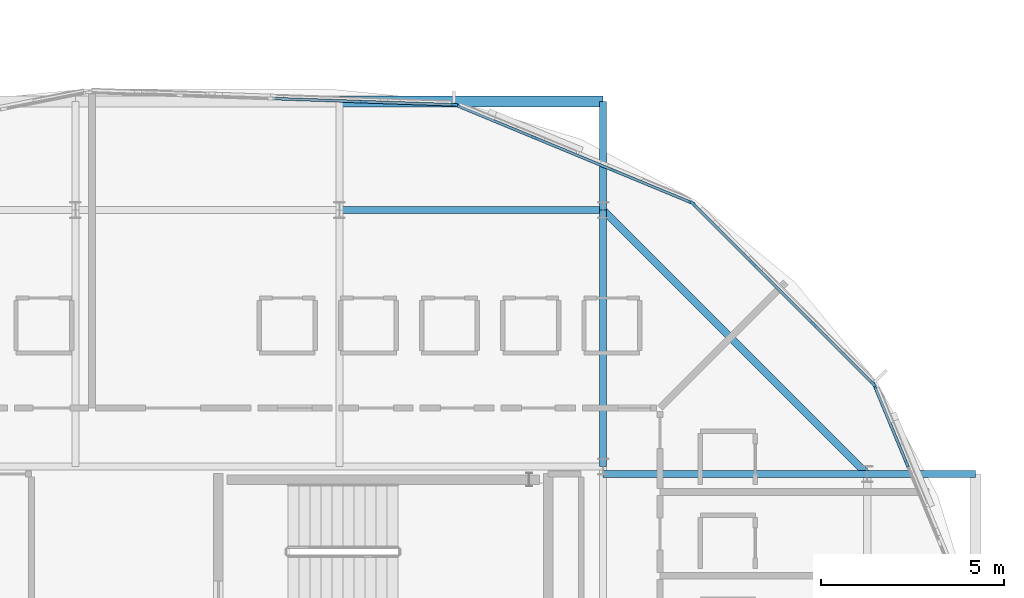
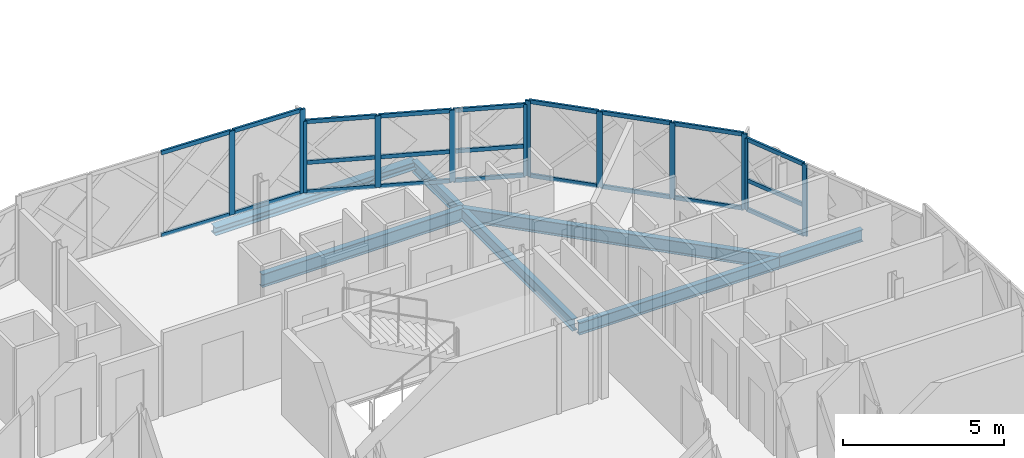
# One storey, part 11 of 25: 34 members, 7 beams, 4 elements without a shape of their own.
"""IFC4 building model written with IfcOpenShell, lengths in metres."""

from ifc_helpers import new_model, si_unit, direction, frame, origin, origin_2d, place, context, subcontext, project, spatial, rectangle, i_section, extrude, material, layer, layer_set, material_profile, profile_set, type_object, element, aggregate, save


model = new_model("IFC4")

# Units and contexts
model_context = context("Model", 3, precision=1e-05, world=origin(), true_north=direction((0.0, 1.0)))
body_context = subcontext(model_context, "Body", "Model", "MODEL_VIEW")
ifc_project = project(units=[si_unit("LENGTHUNIT", "METRE"), si_unit("AREAUNIT", "SQUARE_METRE"), si_unit("VOLUMEUNIT", "CUBIC_METRE"), si_unit("PLANEANGLEUNIT", "RADIAN"), si_unit("MASSUNIT", "GRAM", prefix="KILO")], contexts=[model_context])

# Site, building, storey
site_placement = place(None, origin())
site = spatial("IfcSite", under=ifc_project, at=site_placement, CompositionType="ELEMENT")
building_placement = place(site_placement, origin())
building = spatial("IfcBuilding", under=site, at=building_placement, Name="Zevrakil Square Congress Hotel", CompositionType="ELEMENT")
storey_placement = place(building_placement, frame((0.0, 0.0, 28.300048828125)))
storey = spatial("IfcBuildingStorey", under=building, at=storey_placement, Name="L08", CompositionType="ELEMENT", Elevation=28.300048828125)

# Beams
ifc_material_1 = material(Name="Steel S355", Category="steel")
ifc_material_profile_1 = material_profile(ifc_material_1, i_section(OverallWidth=0.18994140625, OverallDepth=0.449951171875, WebThickness=0.009521484375, FlangeThickness=0.0146484375, FilletRadius=0.02099609375, at=origin_2d()), Name="IPE 450")
ifc_profile_set_1 = profile_set([ifc_material_profile_1], Name="Steel S355")
beam_type_1 = type_object("IfcBeamType", Name="BM-IPE450", PredefinedType="BEAM", material=ifc_profile_set_1)
beam_1_placement = place(storey_placement, frame((156.0, 38.39990234375, -0.43505859375), z_axis=(1.0, 0.0, 0.0), x_axis=(0.0, 1.0, 0.0)))
element("IfcBeam", 1, at=beam_1_placement, inside=storey, type_object=beam_type_1, Name="L08 drum radial floor beam DRI-08", PredefinedType="BEAM", context=body_context, shape_type="SweptSolid", body=[
    extrude(i_section(OverallWidth=0.18994140625, OverallDepth=0.449951171875, WebThickness=0.009521484375, FlangeThickness=0.0146484375, FilletRadius=0.02099609375, at=origin_2d()), origin(), (0.0, 0.0, 1.0), 7.199951171875),
])
beam_2_placement = place(storey_placement, frame((163.199951171875, 38.39990234375, -0.43505859375), z_axis=(1.0, 0.0, 0.0), x_axis=(0.0, 1.0, 0.0)))
element("IfcBeam", 2, at=beam_2_placement, inside=storey, type_object=beam_type_1, Name="L08 drum radial edge cantilever beam DRO-08", PredefinedType="BEAM", context=body_context, shape_type="SweptSolid", body=[
    extrude(i_section(OverallWidth=0.18994140625, OverallDepth=0.449951171875, WebThickness=0.009521484375, FlangeThickness=0.0146484375, FilletRadius=0.02099609375, at=origin_2d()), origin(), (0.0, 0.0, 1.0), 2.95458984375),
])
beam_3_placement = place(storey_placement, frame((156.0, 38.60009765625, -0.43505859375), z_axis=(0.0, 1.0, 0.0), x_axis=(-1.0, 0.0, 0.0)))
element("IfcBeam", 3, at=beam_3_placement, inside=storey, type_object=beam_type_1, Name="L08 drum radial floor beam DRI-09", PredefinedType="BEAM", context=body_context, shape_type="SweptSolid", body=[
    extrude(i_section(OverallWidth=0.18994140625, OverallDepth=0.449951171875, WebThickness=0.009521484375, FlangeThickness=0.0146484375, FilletRadius=0.02099609375, at=origin_2d()), origin(), (0.0, 0.0, 1.0), 7.0),
])
beam_4_placement = place(storey_placement, frame((156.0, 45.60009765625, -0.43505859375), z_axis=(0.0, 1.0, 0.0), x_axis=(-1.0, 0.0, 0.0)))
element("IfcBeam", 4, at=beam_4_placement, inside=storey, type_object=beam_type_1, Name="L08 drum radial edge cantilever beam DRO-09", PredefinedType="BEAM", context=body_context, shape_type="SweptSolid", body=[
    extrude(i_section(OverallWidth=0.18994140625, OverallDepth=0.449951171875, WebThickness=0.009521484375, FlangeThickness=0.0146484375, FilletRadius=0.02099609375, at=origin_2d()), origin(), (0.0, 0.0, 1.0), 2.954345703125),
])
ifc_material_2 = material(Name="Steel S355", Category="steel")
ifc_material_profile_2 = material_profile(ifc_material_2, i_section(OverallWidth=0.199951171875, OverallDepth=0.5, WebThickness=0.01025390625, FlangeThickness=0.01611328125, FilletRadius=0.02099609375, at=origin_2d()), Name="IPE 500")
ifc_profile_set_2 = profile_set([ifc_material_profile_2], Name="Steel S355")
beam_type_2 = type_object("IfcBeamType", Name="BM-IPE500", PredefinedType="BEAM", material=ifc_profile_set_2)
beam_5_placement = place(storey_placement, frame((163.199951171875, 38.39990234375, -0.4599609375), z_axis=(-0.70709479277, 0.7071187694, 0.0), x_axis=(-0.7071187694, -0.70709479277, 0.0)))
element("IfcBeam", 5, at=beam_5_placement, inside=storey, type_object=beam_type_2, Name="L08 drum ring girder DRB-08", PredefinedType="BEAM", context=body_context, shape_type="SweptSolid", body=[
    extrude(i_section(OverallWidth=0.199951171875, OverallDepth=0.5, WebThickness=0.01025390625, FlangeThickness=0.01611328125, FilletRadius=0.02099609375, at=origin_2d()), origin(), (0.0, 0.0, 1.0), 10.182373046875),
])
beam_6_placement = place(storey_placement, frame((156.0, 45.60009765625, -0.4599609375), z_axis=(-1.0, 0.0, 0.0), x_axis=(0.0, -1.0, 0.0)))
element("IfcBeam", 6, at=beam_6_placement, inside=storey, type_object=beam_type_2, Name="L08 drum ring girder DRB-09", PredefinedType="BEAM", context=body_context, shape_type="SweptSolid", body=[
    extrude(i_section(OverallWidth=0.199951171875, OverallDepth=0.5, WebThickness=0.01025390625, FlangeThickness=0.01611328125, FilletRadius=0.02099609375, at=origin_2d()), origin(), (0.0, 0.0, 1.0), 7.199951171875),
])

# Curtain wall, members
ifc_material_3 = material(Name="Aluminium Anodised Bronze", Category="aluminium")
ifc_layer_1 = layer(ifc_material_3, 0.179931640625)
ifc_layer_set_1 = layer_set([ifc_layer_1], Name="Aluminium Anodised Bronze")
curtain_wall_type_1 = type_object("IfcCurtainWallType", Name="CW-L08-720", PredefinedType="USERDEFINED", material=ifc_layer_set_1)
curtain_wall_1_placement = place(storey_placement, origin())
curtain_wall_1 = element("IfcCurtainWall", 7, at=curtain_wall_1_placement, inside=storey, type_object=curtain_wall_type_1, Name="L08 diamond curtain wall CW-L08-0240", ObjectType="GLAZED CURTAIN WALL", PredefinedType="USERDEFINED")
ifc_material_4 = material(Name="Aluminium Anodised Bronze", Category="aluminium")
ifc_material_profile_3 = material_profile(ifc_material_4, rectangle(XDim=0.074951171875, YDim=0.14990234375, at=origin_2d()), Name="ALU 75x150")
ifc_profile_set_3 = profile_set([ifc_material_profile_3], Name="Aluminium Anodised Bronze")
member_type_1 = type_object("IfcMemberType", Name="CWM-ALU75x150", PredefinedType="USERDEFINED", material=ifc_profile_set_3)
member_1_placement = place(storey_placement, frame((164.270751953125, 38.705078125, 0.030029296875), z_axis=(-0.382761541363, 0.923847174836, 0.0), x_axis=(-0.923847174836, -0.382761541363, 0.0)))
member_1 = element("IfcMember", 8, at=member_1_placement, type_object=member_type_1, Name="CW-94 transom 3.1", ObjectType="TRANSOM", PredefinedType="USERDEFINED", context=body_context, shape_type="SweptSolid", body=[
    extrude(rectangle(XDim=0.074951171875, YDim=0.14990234375, at=origin_2d()), origin(), (0.0, 0.0, 1.0), 2.2451171875),
])
member_2_placement = place(storey_placement, frame((164.270751953125, 38.705078125, 1.13818359375), z_axis=(-0.382761541363, 0.923847174836, 0.0), x_axis=(-0.923847174836, -0.382761541363, 0.0)))
member_2 = element("IfcMember", 9, at=member_2_placement, type_object=member_type_1, Name="CW-94 transom 3.2", ObjectType="TRANSOM", PredefinedType="USERDEFINED", context=body_context, shape_type="SweptSolid", body=[
    extrude(rectangle(XDim=0.074951171875, YDim=0.14990234375, at=origin_2d()), origin(), (0.0, 0.0, 1.0), 2.2451171875),
])
member_3_placement = place(storey_placement, frame((164.270751953125, 38.705078125, 2.679931640625), z_axis=(-0.382761541363, 0.923847174836, 0.0), x_axis=(-0.923847174836, -0.382761541363, 0.0)))
member_3 = element("IfcMember", 10, at=member_3_placement, type_object=member_type_1, Name="CW-94 transom 3.3", ObjectType="TRANSOM", PredefinedType="USERDEFINED", context=body_context, shape_type="SweptSolid", body=[
    extrude(rectangle(XDim=0.074951171875, YDim=0.14990234375, at=origin_2d()), origin(), (0.0, 0.0, 1.0), 2.2451171875),
])

curtain_wall_2_placement = place(storey_placement, origin())
curtain_wall_2 = element("IfcCurtainWall", 11, at=curtain_wall_2_placement, inside=storey, type_object=curtain_wall_type_1, Name="L08 diamond curtain wall CW-L08-0241", ObjectType="GLAZED CURTAIN WALL", PredefinedType="USERDEFINED")
member_4_placement = place(storey_placement, frame((163.34619140625, 40.877197265625, 0.030029296875), z_axis=(-0.707106781187, 0.707106781187, 0.0), x_axis=(-0.707106781187, -0.707106781187, 0.0)))
member_4 = element("IfcMember", 12, at=member_4_placement, type_object=member_type_1, Name="CW-94 transom 1.1", ObjectType="TRANSOM", PredefinedType="USERDEFINED", context=body_context, shape_type="SweptSolid", body=[
    extrude(rectangle(XDim=0.074951171875, YDim=0.14990234375, at=origin_2d()), origin(), (0.0, 0.0, 1.0), 2.245361328125),
])
member_5_placement = place(storey_placement, frame((163.34619140625, 40.877197265625, 2.829833984375), z_axis=(-0.707106781187, 0.707106781187, 0.0), x_axis=(-0.707106781187, -0.707106781187, 0.0)))
member_5 = element("IfcMember", 13, at=member_5_placement, type_object=member_type_1, Name="CW-94 transom 1.2", ObjectType="TRANSOM", PredefinedType="USERDEFINED", context=body_context, shape_type="SweptSolid", body=[
    extrude(rectangle(XDim=0.074951171875, YDim=0.14990234375, at=origin_2d()), origin(), (0.0, 0.0, 1.0), 2.245361328125),
])
member_6_placement = place(storey_placement, frame((161.716064453125, 42.50732421875, 0.030029296875), z_axis=(-0.707160433205, 0.707053125097, 0.0), x_axis=(-0.707053125097, -0.707160433205, 0.0)))
member_6 = element("IfcMember", 14, at=member_6_placement, type_object=member_type_1, Name="CW-94 transom 2.1", ObjectType="TRANSOM", PredefinedType="USERDEFINED", context=body_context, shape_type="SweptSolid", body=[
    extrude(rectangle(XDim=0.074951171875, YDim=0.14990234375, at=origin_2d()), origin(), (0.0, 0.0, 1.0), 2.275146484375),
])
member_7_placement = place(storey_placement, frame((161.716064453125, 42.50732421875, 2.829833984375), z_axis=(-0.707160433205, 0.707053125097, 0.0), x_axis=(-0.707053125097, -0.707160433205, 0.0)))
member_7 = element("IfcMember", 15, at=member_7_placement, type_object=member_type_1, Name="CW-94 transom 2.2", ObjectType="TRANSOM", PredefinedType="USERDEFINED", context=body_context, shape_type="SweptSolid", body=[
    extrude(rectangle(XDim=0.074951171875, YDim=0.14990234375, at=origin_2d()), origin(), (0.0, 0.0, 1.0), 2.275146484375),
])
member_8_placement = place(storey_placement, frame((160.06494140625, 44.158447265625, 0.030029296875), z_axis=(-0.707106781187, 0.707106781187, 0.0), x_axis=(-0.707106781187, -0.707106781187, 0.0)))
member_8 = element("IfcMember", 16, at=member_8_placement, type_object=member_type_1, Name="CW-94 transom 3.1", ObjectType="TRANSOM", PredefinedType="USERDEFINED", context=body_context, shape_type="SweptSolid", body=[
    extrude(rectangle(XDim=0.074951171875, YDim=0.14990234375, at=origin_2d()), origin(), (0.0, 0.0, 1.0), 2.245361328125),
])
member_9_placement = place(storey_placement, frame((160.06494140625, 44.158447265625, 2.829833984375), z_axis=(-0.707106781187, 0.707106781187, 0.0), x_axis=(-0.707106781187, -0.707106781187, 0.0)))
member_9 = element("IfcMember", 17, at=member_9_placement, type_object=member_type_1, Name="CW-94 transom 3.2", ObjectType="TRANSOM", PredefinedType="USERDEFINED", context=body_context, shape_type="SweptSolid", body=[
    extrude(rectangle(XDim=0.074951171875, YDim=0.14990234375, at=origin_2d()), origin(), (0.0, 0.0, 1.0), 2.245361328125),
])

curtain_wall_3_placement = place(storey_placement, origin())
curtain_wall_3 = element("IfcCurtainWall", 18, at=curtain_wall_3_placement, inside=storey, type_object=curtain_wall_type_1, Name="L08 diamond curtain wall CW-L08-0242", ObjectType="GLAZED CURTAIN WALL", PredefinedType="USERDEFINED")
member_10_placement = place(storey_placement, frame((158.37939453125, 45.8115234375, 0.030029296875), z_axis=(-0.923901544851, 0.382630285552, 0.0), x_axis=(-0.382630285552, -0.923901544851, 0.0)))
member_10 = element("IfcMember", 19, at=member_10_placement, type_object=member_type_1, Name="CW-94 transom 1.1", ObjectType="TRANSOM", PredefinedType="USERDEFINED", context=body_context, shape_type="SweptSolid", body=[
    extrude(rectangle(XDim=0.074951171875, YDim=0.14990234375, at=origin_2d()), origin(), (0.0, 0.0, 1.0), 2.245361328125),
])
member_11_placement = place(storey_placement, frame((158.37939453125, 45.8115234375, 1.13818359375), z_axis=(-0.923901544851, 0.382630285552, 0.0), x_axis=(-0.382630285552, -0.923901544851, 0.0)))
member_11 = element("IfcMember", 20, at=member_11_placement, type_object=member_type_1, Name="CW-94 transom 1.2", ObjectType="TRANSOM", PredefinedType="USERDEFINED", context=body_context, shape_type="SweptSolid", body=[
    extrude(rectangle(XDim=0.074951171875, YDim=0.14990234375, at=origin_2d()), origin(), (0.0, 0.0, 1.0), 2.245361328125),
])
member_12_placement = place(storey_placement, frame((158.37939453125, 45.8115234375, 2.679931640625), z_axis=(-0.923901544851, 0.382630285552, 0.0), x_axis=(-0.382630285552, -0.923901544851, 0.0)))
member_12 = element("IfcMember", 21, at=member_12_placement, type_object=member_type_1, Name="CW-94 transom 1.3", ObjectType="TRANSOM", PredefinedType="USERDEFINED", context=body_context, shape_type="SweptSolid", body=[
    extrude(rectangle(XDim=0.074951171875, YDim=0.14990234375, at=origin_2d()), origin(), (0.0, 0.0, 1.0), 2.245361328125),
])
member_13_placement = place(storey_placement, frame((156.24951171875, 46.693603515625, 0.030029296875), z_axis=(-0.923855963606, 0.38274032778, 0.0), x_axis=(-0.38274032778, -0.923855963606, 0.0)))
member_13 = element("IfcMember", 22, at=member_13_placement, type_object=member_type_1, Name="CW-94 transom 2.1", ObjectType="TRANSOM", PredefinedType="USERDEFINED", context=body_context, shape_type="SweptSolid", body=[
    extrude(rectangle(XDim=0.074951171875, YDim=0.14990234375, at=origin_2d()), origin(), (0.0, 0.0, 1.0), 2.275390625),
])
member_14_placement = place(storey_placement, frame((156.24951171875, 46.693603515625, 1.13818359375), z_axis=(-0.923855963606, 0.38274032778, 0.0), x_axis=(-0.38274032778, -0.923855963606, 0.0)))
member_14 = element("IfcMember", 23, at=member_14_placement, type_object=member_type_1, Name="CW-94 transom 2.2", ObjectType="TRANSOM", PredefinedType="USERDEFINED", context=body_context, shape_type="SweptSolid", body=[
    extrude(rectangle(XDim=0.074951171875, YDim=0.14990234375, at=origin_2d()), origin(), (0.0, 0.0, 1.0), 2.275390625),
])
member_15_placement = place(storey_placement, frame((156.24951171875, 46.693603515625, 2.679931640625), z_axis=(-0.923855963606, 0.38274032778, 0.0), x_axis=(-0.38274032778, -0.923855963606, 0.0)))
member_15 = element("IfcMember", 24, at=member_15_placement, type_object=member_type_1, Name="CW-94 transom 2.3", ObjectType="TRANSOM", PredefinedType="USERDEFINED", context=body_context, shape_type="SweptSolid", body=[
    extrude(rectangle(XDim=0.074951171875, YDim=0.14990234375, at=origin_2d()), origin(), (0.0, 0.0, 1.0), 2.275390625),
])
member_16_placement = place(storey_placement, frame((154.092041015625, 47.58740234375, 0.030029296875), z_axis=(-0.923885623343, 0.382668727465, 0.0), x_axis=(-0.382668727465, -0.923885623343, 0.0)))
member_16 = element("IfcMember", 25, at=member_16_placement, type_object=member_type_1, Name="CW-94 transom 3.1", ObjectType="TRANSOM", PredefinedType="USERDEFINED", context=body_context, shape_type="SweptSolid", body=[
    extrude(rectangle(XDim=0.074951171875, YDim=0.14990234375, at=origin_2d()), origin(), (0.0, 0.0, 1.0), 2.2451171875),
])
member_17_placement = place(storey_placement, frame((154.092041015625, 47.58740234375, 1.13818359375), z_axis=(-0.923885623343, 0.382668727465, 0.0), x_axis=(-0.382668727465, -0.923885623343, 0.0)))
member_17 = element("IfcMember", 26, at=member_17_placement, type_object=member_type_1, Name="CW-94 transom 3.2", ObjectType="TRANSOM", PredefinedType="USERDEFINED", context=body_context, shape_type="SweptSolid", body=[
    extrude(rectangle(XDim=0.074951171875, YDim=0.14990234375, at=origin_2d()), origin(), (0.0, 0.0, 1.0), 2.2451171875),
])
member_18_placement = place(storey_placement, frame((154.092041015625, 47.58740234375, 2.679931640625), z_axis=(-0.923885623343, 0.382668727465, 0.0), x_axis=(-0.382668727465, -0.923885623343, 0.0)))
member_18 = element("IfcMember", 27, at=member_18_placement, type_object=member_type_1, Name="CW-94 transom 3.3", ObjectType="TRANSOM", PredefinedType="USERDEFINED", context=body_context, shape_type="SweptSolid", body=[
    extrude(rectangle(XDim=0.074951171875, YDim=0.14990234375, at=origin_2d()), origin(), (0.0, 0.0, 1.0), 2.2451171875),
])

ifc_material_5 = material(Name="Aluminium Anodised Bronze", Category="aluminium")
ifc_layer_2 = layer(ifc_material_5, 0.179931640625)
ifc_layer_set_2 = layer_set([ifc_layer_2], Name="Aluminium Anodised Bronze")
curtain_wall_type_2 = type_object("IfcCurtainWallType", Name="CW-L08-900", PredefinedType="USERDEFINED", material=ifc_layer_set_2)
curtain_wall_4_placement = place(storey_placement, origin())
curtain_wall_4 = element("IfcCurtainWall", 28, at=curtain_wall_4_placement, inside=storey, type_object=curtain_wall_type_2, Name="L08 diamond curtain wall CW-L08-0243", ObjectType="GLAZED CURTAIN WALL", PredefinedType="USERDEFINED")
member_19_placement = place(storey_placement, frame((151.90234375, 48.4716796875, 0.030029296875), z_axis=(-0.999410071212, 0.034343988701, 0.0), x_axis=(-0.034343988701, -0.999410071212, 0.0)))
member_19 = element("IfcMember", 29, at=member_19_placement, type_object=member_type_1, Name="CW-96 transom 1.1", ObjectType="TRANSOM", PredefinedType="USERDEFINED", context=body_context, shape_type="SweptSolid", body=[
    extrude(rectangle(XDim=0.074951171875, YDim=0.14990234375, at=origin_2d()), origin(), (0.0, 0.0, 1.0), 2.4169921875),
])
member_20_placement = place(storey_placement, frame((151.90234375, 48.4716796875, 3.14501953125), z_axis=(-0.999410071212, 0.034343988701, 0.0), x_axis=(-0.034343988701, -0.999410071212, 0.0)))
member_20 = element("IfcMember", 30, at=member_20_placement, type_object=member_type_1, Name="CW-96 transom 1.2", ObjectType="TRANSOM", PredefinedType="USERDEFINED", context=body_context, shape_type="SweptSolid", body=[
    extrude(rectangle(XDim=0.074951171875, YDim=0.14990234375, at=origin_2d()), origin(), (0.0, 0.0, 1.0), 2.4169921875),
])
member_21_placement = place(storey_placement, frame((149.4267578125, 48.556884765625, 0.030029296875), z_axis=(-0.99941073011, 0.034324809421, 0.0), x_axis=(-0.034324809421, -0.99941073011, 0.0)))
member_21 = element("IfcMember", 31, at=member_21_placement, type_object=member_type_1, Name="CW-96 transom 2.1", ObjectType="TRANSOM", PredefinedType="USERDEFINED", context=body_context, shape_type="SweptSolid", body=[
    extrude(rectangle(XDim=0.074951171875, YDim=0.14990234375, at=origin_2d()), origin(), (0.0, 0.0, 1.0), 2.44677734375),
])
member_22_placement = place(storey_placement, frame((149.4267578125, 48.556884765625, 3.14501953125), z_axis=(-0.99941073011, 0.034324809421, 0.0), x_axis=(-0.034324809421, -0.99941073011, 0.0)))
member_22 = element("IfcMember", 32, at=member_22_placement, type_object=member_type_1, Name="CW-96 transom 2.2", ObjectType="TRANSOM", PredefinedType="USERDEFINED", context=body_context, shape_type="SweptSolid", body=[
    extrude(rectangle(XDim=0.074951171875, YDim=0.14990234375, at=origin_2d()), origin(), (0.0, 0.0, 1.0), 2.44677734375),
])

# Member
ifc_material_6 = material(Name="Aluminium Anodised Bronze", Category="aluminium")
ifc_material_profile_4 = material_profile(ifc_material_6, rectangle(XDim=0.074951171875, YDim=0.179931640625, at=origin_2d()), Name="ALU 75x180")
ifc_profile_set_4 = profile_set([ifc_material_profile_4], Name="Aluminium Anodised Bronze")
member_type_2 = type_object("IfcMemberType", Name="CWM-ALU75x180", PredefinedType="MULLION", material=ifc_profile_set_4)
member_23_placement = place(storey_placement, frame((164.2822265625, 38.67724609375, 0.0), z_axis=(0.0, 0.0, 1.0), x_axis=(-0.92387939537, -0.382683763454, 0.0)))
member_23 = element("IfcMember", 33, at=member_23_placement, type_object=member_type_2, Name="CW-94 mullion 3", PredefinedType="MULLION", context=body_context, shape_type="SweptSolid", body=[
    extrude(rectangle(XDim=0.074951171875, YDim=0.179931640625, at=origin_2d()), origin(), (0.0, 0.0, 1.0), 2.7099609375),
])

member_24_placement = place(storey_placement, frame((163.39990234375, 40.80712890625, 0.0), z_axis=(0.0, 0.0, 1.0), x_axis=(-0.92387939537, -0.382683763454, 0.0)))
member_24 = element("IfcMember", 34, at=member_24_placement, type_object=member_type_2, Name="CW-94 mullion 4", PredefinedType="MULLION", context=body_context, shape_type="SweptSolid", body=[
    extrude(rectangle(XDim=0.074951171875, YDim=0.179931640625, at=origin_2d()), origin(), (0.0, 0.0, 1.0), 2.7099609375),
])

aggregate(curtain_wall_1, [member_23, member_24, member_1, member_2, member_3])

member_25_placement = place(storey_placement, frame((163.3671875, 40.85595703125, 0.0), z_axis=(0.0, 0.0, 1.0), x_axis=(-0.707106781187, -0.707106781187, 0.0)))
member_25 = element("IfcMember", 35, at=member_25_placement, type_object=member_type_2, Name="CW-94 mullion 1", PredefinedType="MULLION", context=body_context, shape_type="SweptSolid", body=[
    extrude(rectangle(XDim=0.074951171875, YDim=0.179931640625, at=origin_2d()), origin(), (0.0, 0.0, 1.0), 2.85986328125),
])

member_26_placement = place(storey_placement, frame((161.7373046875, 42.486083984375, 0.0), z_axis=(0.0, 0.0, 1.0), x_axis=(-0.707106781187, -0.707106781187, 0.0)))
member_26 = element("IfcMember", 36, at=member_26_placement, type_object=member_type_2, Name="CW-94 mullion 2", PredefinedType="MULLION", context=body_context, shape_type="SweptSolid", body=[
    extrude(rectangle(XDim=0.074951171875, YDim=0.179931640625, at=origin_2d()), origin(), (0.0, 0.0, 1.0), 2.85986328125),
])

member_27_placement = place(storey_placement, frame((160.0859375, 44.13720703125, 0.0), z_axis=(0.0, 0.0, 1.0), x_axis=(-0.707106781187, -0.707106781187, 0.0)))
member_27 = element("IfcMember", 37, at=member_27_placement, type_object=member_type_2, Name="CW-94 mullion 3", PredefinedType="MULLION", context=body_context, shape_type="SweptSolid", body=[
    extrude(rectangle(XDim=0.074951171875, YDim=0.179931640625, at=origin_2d()), origin(), (0.0, 0.0, 1.0), 2.85986328125),
])

member_28_placement = place(storey_placement, frame((158.4560546875, 45.767333984375, 0.0), z_axis=(0.0, 0.0, 1.0), x_axis=(-0.707106781187, -0.707106781187, 0.0)))
member_28 = element("IfcMember", 38, at=member_28_placement, type_object=member_type_2, Name="CW-94 mullion 4", PredefinedType="MULLION", context=body_context, shape_type="SweptSolid", body=[
    extrude(rectangle(XDim=0.074951171875, YDim=0.179931640625, at=origin_2d()), origin(), (0.0, 0.0, 1.0), 2.85986328125),
])

aggregate(curtain_wall_2, [member_25, member_26, member_27, member_28, member_4, member_5, member_6, member_7, member_8, member_9])

member_29_placement = place(storey_placement, frame((158.406982421875, 45.800048828125, 0.0), z_axis=(0.0, 0.0, 1.0), x_axis=(-0.382683763454, -0.92387939537, 0.0)))
member_29 = element("IfcMember", 39, at=member_29_placement, type_object=member_type_2, Name="CW-94 mullion 1", PredefinedType="MULLION", context=body_context, shape_type="SweptSolid", body=[
    extrude(rectangle(XDim=0.074951171875, YDim=0.179931640625, at=origin_2d()), origin(), (0.0, 0.0, 1.0), 2.7099609375),
])

member_30_placement = place(storey_placement, frame((156.27734375, 46.68212890625, 0.0), z_axis=(0.0, 0.0, 1.0), x_axis=(-0.382683763454, -0.92387939537, 0.0)))
member_30 = element("IfcMember", 40, at=member_30_placement, type_object=member_type_2, Name="CW-94 mullion 2", PredefinedType="MULLION", context=body_context, shape_type="SweptSolid", body=[
    extrude(rectangle(XDim=0.074951171875, YDim=0.179931640625, at=origin_2d()), origin(), (0.0, 0.0, 1.0), 2.7099609375),
])

member_31_placement = place(storey_placement, frame((154.119873046875, 47.575927734375, 0.0), z_axis=(0.0, 0.0, 1.0), x_axis=(-0.382683763454, -0.92387939537, 0.0)))
member_31 = element("IfcMember", 41, at=member_31_placement, type_object=member_type_2, Name="CW-94 mullion 3", PredefinedType="MULLION", context=body_context, shape_type="SweptSolid", body=[
    extrude(rectangle(XDim=0.074951171875, YDim=0.179931640625, at=origin_2d()), origin(), (0.0, 0.0, 1.0), 2.7099609375),
])

member_32_placement = place(storey_placement, frame((151.989990234375, 48.4580078125, 0.0), z_axis=(0.0, 0.0, 1.0), x_axis=(-0.382683763454, -0.92387939537, 0.0)))
member_32 = element("IfcMember", 42, at=member_32_placement, type_object=member_type_2, Name="CW-94 mullion 4", PredefinedType="MULLION", context=body_context, shape_type="SweptSolid", body=[
    extrude(rectangle(XDim=0.074951171875, YDim=0.179931640625, at=origin_2d()), origin(), (0.0, 0.0, 1.0), 2.7099609375),
])

aggregate(curtain_wall_3, [member_29, member_30, member_31, member_32, member_10, member_11, member_12, member_13, member_14, member_15, member_16, member_17, member_18])

member_33_placement = place(storey_placement, frame((151.932373046875, 48.470458984375, 0.0), z_axis=(0.0, 0.0, 1.0), x_axis=(-0.034404573593, -0.999407987418, 0.0)))
member_33 = element("IfcMember", 43, at=member_33_placement, type_object=member_type_2, Name="CW-96 mullion 1", PredefinedType="MULLION", context=body_context, shape_type="SweptSolid", body=[
    extrude(rectangle(XDim=0.074951171875, YDim=0.179931640625, at=origin_2d()), origin(), (0.0, 0.0, 1.0), 3.175048828125),
])

member_34_placement = place(storey_placement, frame((149.456787109375, 48.5556640625, 0.0), z_axis=(0.0, 0.0, 1.0), x_axis=(-0.034404573593, -0.999407987418, 0.0)))
member_34 = element("IfcMember", 44, at=member_34_placement, type_object=member_type_2, Name="CW-96 mullion 2", PredefinedType="MULLION", context=body_context, shape_type="SweptSolid", body=[
    extrude(rectangle(XDim=0.074951171875, YDim=0.179931640625, at=origin_2d()), origin(), (0.0, 0.0, 1.0), 3.175048828125),
])

aggregate(curtain_wall_4, [member_33, member_34, member_19, member_20, member_21, member_22])

# Beam
ifc_material_7 = material(Name="Steel S355", Category="steel")
ifc_material_profile_5 = material_profile(ifc_material_7, i_section(OverallWidth=0.300048828125, OverallDepth=0.300048828125, WebThickness=0.010986328125, FlangeThickness=0.01904296875, FilletRadius=0.027099609375, at=origin_2d()), Name="HEB 300")
ifc_profile_set_5 = profile_set([ifc_material_profile_5], Name="Steel S355")
beam_type_3 = type_object("IfcBeamType", Name="SPD-RHS250", PredefinedType="SPANDREL", material=ifc_profile_set_5)
beam_7_placement = place(storey_placement, frame((156.0, 48.554443359375, -0.360107421875), z_axis=(-1.0, 0.0, 0.0), x_axis=(0.0, -1.0, 0.0)))
element("IfcBeam", 45, at=beam_7_placement, inside=storey, type_object=beam_type_3, Name="L08 drum edge spandrel beam DSP-08", PredefinedType="SPANDREL", context=body_context, shape_type="SweptSolid", body=[
    extrude(i_section(OverallWidth=0.300048828125, OverallDepth=0.300048828125, WebThickness=0.010986328125, FlangeThickness=0.01904296875, FilletRadius=0.027099609375, at=origin_2d()), origin(), (0.0, 0.0, 1.0), 7.199951171875),
])

save(model, "model.ifc")
